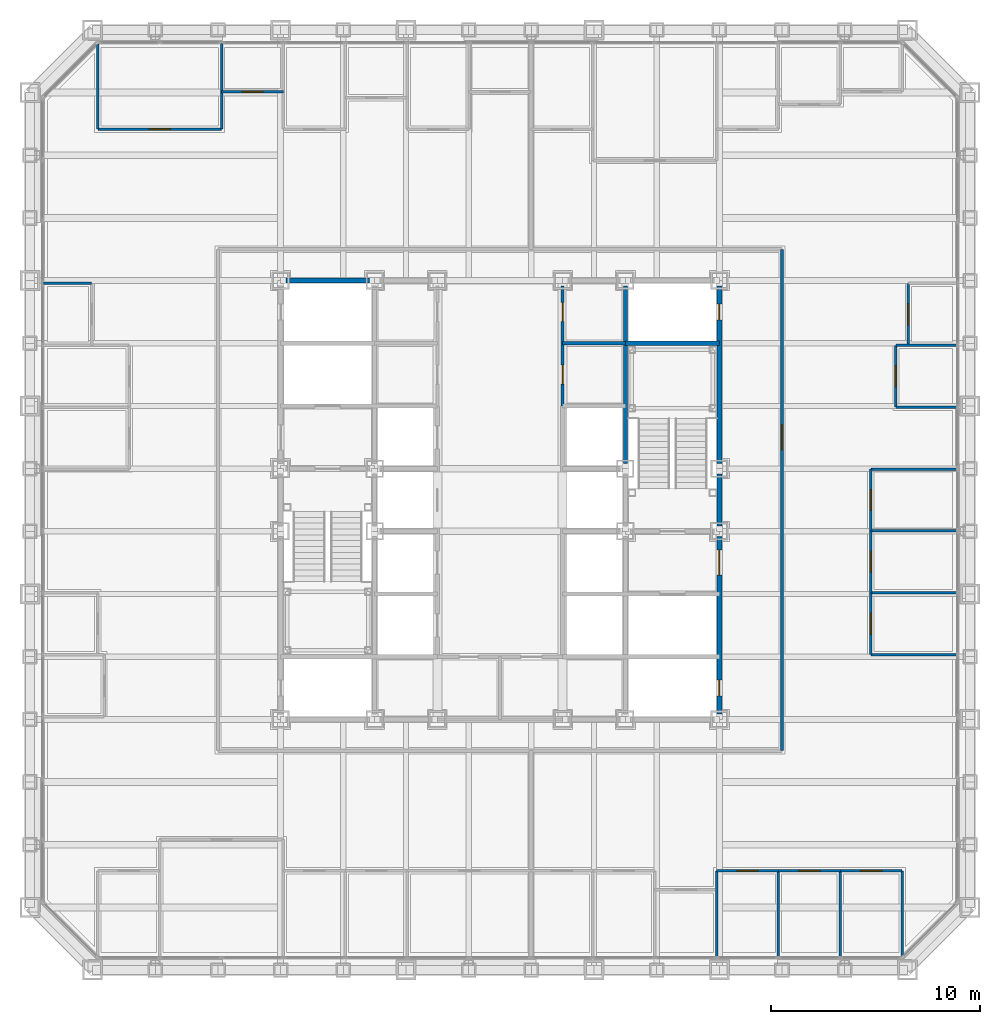
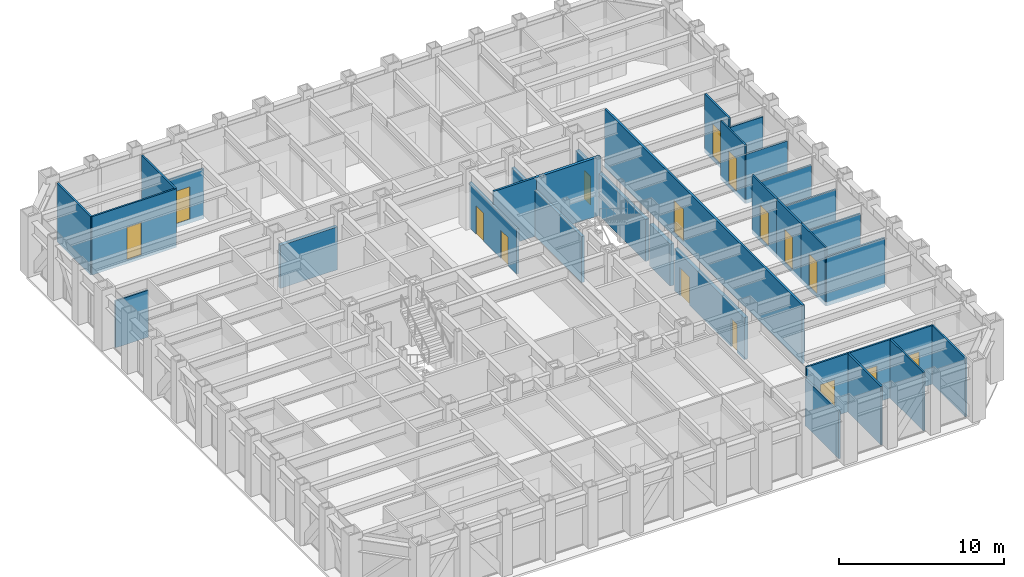
# One storey, part 10 of 16: 32 walls, 16 doors, 16 openings.
"""IFC4 building model written with IfcOpenShell, lengths in metres."""

from ifc_helpers import new_model, si_unit, direction, frame, frame_2d, origin, place, context, subcontext, project, spatial, rectangle, extrude, material, layer, layer_set, type_object, element, fill, save


model = new_model("IFC4")

# Units and contexts
model_context = context("Model", 3, precision=1e-05, world=origin(), true_north=direction((0.0, 1.0)))
body_context = subcontext(model_context, "Body", "Model", "MODEL_VIEW")
ifc_project = project(units=[si_unit("LENGTHUNIT", "METRE"), si_unit("AREAUNIT", "SQUARE_METRE"), si_unit("VOLUMEUNIT", "CUBIC_METRE"), si_unit("PLANEANGLEUNIT", "RADIAN"), si_unit("MASSUNIT", "GRAM", prefix="KILO")], contexts=[model_context])

# Site, building, storey
site_placement = place(None, origin())
site = spatial("IfcSite", under=ifc_project, at=site_placement, CompositionType="ELEMENT")
building_placement = place(site_placement, origin())
building = spatial("IfcBuilding", under=site, at=building_placement, Name="Chuquiago Exchange Tower", CompositionType="ELEMENT")
storey_placement = place(building_placement, frame((0.0, 0.0, 51.300048828125)))
storey = spatial("IfcBuildingStorey", under=building, at=storey_placement, Name="L10", CompositionType="ELEMENT", Elevation=51.300048828125)

# Wall
ifc_material_1 = material(Name="Concrete masonry, fully grouted", Category="masonry")
ifc_layer_1 = layer(ifc_material_1, 0.25)
ifc_layer_set_1 = layer_set([ifc_layer_1], Name="W1 core wall 250")
wall_type_1 = type_object("IfcWallType", Name="W1 core wall 250", PredefinedType="SOLIDWALL", material=ifc_layer_set_1)
wall_1_placement = place(storey_placement, frame((12.25, 33.0, 0.0), z_axis=(0.0, 0.0, 1.0), x_axis=(1.0, 0.0, 0.0)))
element("IfcWall", 1, at=wall_1_placement, inside=storey, type_object=wall_type_1, Name="CW-L10-11-0", PredefinedType="SOLIDWALL", context=body_context, shape_type="SweptSolid", body=[
    extrude(rectangle(XDim=4.0, YDim=0.25, at=frame_2d((2.0, 0.0))), origin(), (0.0, 0.0, 1.0), 3.181396484375),
])

# Wall, openings, doors
wall_2_placement = place(storey_placement, frame((33.0, 12.25, 0.0), z_axis=(0.0, 0.0, 1.0), x_axis=(0.0, 1.0, 0.0)))
wall_2 = element("IfcWall", 2, at=wall_2_placement, inside=storey, type_object=wall_type_1, Name="CW-L10-25-0", PredefinedType="SOLIDWALL", context=body_context, shape_type="SweptSolid", body=[
    extrude(rectangle(XDim=8.5, YDim=0.25, at=frame_2d((4.25, 0.0))), origin(), (0.0, 0.0, 1.0), 3.11279296875),
])
opening_1_placement = place(wall_2_placement, frame((6.64990234375, 0.0, 0.0)))
opening_1 = element("IfcOpeningElement", 3, at=opening_1_placement, cuts=wall_2, Name="Opening L10-004", PredefinedType="OPENING", context=body_context, shape_type="SweptSolid", body=[
    extrude(rectangle(XDim=1.199951171875, YDim=2.10009765625, at=frame_2d((0.60009765625, 1.050048828125))), frame((0.0, 0.135009765625, 0.0), z_axis=(0.0, -1.0, 0.0), x_axis=(1.0, 0.0, 0.0)), (0.0, 0.0, 1.0), 0.27001953125),
])
opening_2_placement = place(wall_2_placement, frame((0.875, 0.0, 0.0)))
opening_2 = element("IfcOpeningElement", 4, at=opening_2_placement, cuts=wall_2, Name="Opening L10-009", PredefinedType="OPENING", context=body_context, shape_type="SweptSolid", body=[
    extrude(rectangle(XDim=0.75, YDim=2.10009765625, at=frame_2d((0.375, 1.050048828125))), frame((0.0, 0.135009765625, 0.0), z_axis=(0.0, -1.0, 0.0), x_axis=(1.0, 0.0, 0.0)), (0.0, 0.0, 1.0), 0.27001953125),
])
ifc_material_2 = material(Name="Steel door, painted", Category="steel")
door_type_1 = type_object("IfcDoorType", Name="D5 firefighting lobby door 1200x2100", OperationType="SINGLE_SWING_LEFT", PredefinedType="DOOR", material=ifc_material_2)
door_1_placement = place(opening_1_placement, origin())
door_1 = element("IfcDoor", 5, at=door_1_placement, inside=storey, type_object=door_type_1, Name="Firefighting lobby 2 door", OperationType="SINGLE_SWING_RIGHT", OverallHeight=2.10009765625, OverallWidth=1.199951171875, PredefinedType="DOOR", context=body_context, shape_type="SweptSolid", body=[
    extrude(rectangle(XDim=1.199951171875, YDim=2.10009765625, at=frame_2d((0.60009765625, 1.050048828125))), frame((0.0, 0.02490234375, 0.0), z_axis=(0.0, -1.0, 0.0), x_axis=(1.0, 0.0, 0.0)), (0.0, 0.0, 1.0), 0.050048828125),
])
fill(opening_1, door_1)
ifc_material_3 = material(Name="Steel door, painted", Category="steel")
door_type_2 = type_object("IfcDoorType", Name="D6 riser access door 750x2100", OperationType="SINGLE_SWING_LEFT", PredefinedType="DOOR", material=ifc_material_3)
door_2_placement = place(opening_2_placement, frame((0.75, 0.0, 0.0), z_axis=(0.0, 0.0, 1.0), x_axis=(-1.0, 0.0, 0.0)))
door_2 = element("IfcDoor", 6, at=door_2_placement, inside=storey, type_object=door_type_2, Name="Riser RE1 door", OperationType="SINGLE_SWING_RIGHT", OverallHeight=2.10009765625, OverallWidth=0.75, PredefinedType="DOOR", context=body_context, shape_type="SweptSolid", body=[
    extrude(rectangle(XDim=0.75, YDim=2.10009765625, at=frame_2d((0.375, 1.050048828125))), frame((0.0, 0.02490234375, 0.0), z_axis=(0.0, -1.0, 0.0), x_axis=(1.0, 0.0, 0.0)), (0.0, 0.0, 1.0), 0.050048828125),
])
fill(opening_2, door_2)

# Wall
wall_3_placement = place(storey_placement, frame((33.0, 21.25, 0.0), z_axis=(0.0, 0.0, 1.0), x_axis=(0.0, 1.0, 0.0)))
element("IfcWall", 7, at=wall_3_placement, inside=storey, type_object=wall_type_1, Name="CW-L10-25-1", PredefinedType="SOLIDWALL", context=body_context, shape_type="SweptSolid", body=[
    extrude(rectangle(XDim=2.5, YDim=0.25, at=frame_2d((1.25, 0.0))), origin(), (0.0, 0.0, 1.0), 3.11279296875),
])

# Wall, opening, door
wall_4_placement = place(storey_placement, frame((33.0, 24.25, 0.0), z_axis=(0.0, 0.0, 1.0), x_axis=(0.0, 1.0, 0.0)))
wall_4 = element("IfcWall", 8, at=wall_4_placement, inside=storey, type_object=wall_type_1, Name="CW-L10-25-2", PredefinedType="SOLIDWALL", context=body_context, shape_type="SweptSolid", body=[
    extrude(rectangle(XDim=8.5, YDim=0.25, at=frame_2d((4.25, 0.0))), origin(), (0.0, 0.0, 1.0), 3.11279296875),
])
opening_3_placement = place(wall_4_placement, frame((6.875, 0.0, 0.0)))
opening_3 = element("IfcOpeningElement", 9, at=opening_3_placement, cuts=wall_4, Name="Opening L10-010", PredefinedType="OPENING", context=body_context, shape_type="SweptSolid", body=[
    extrude(rectangle(XDim=0.75, YDim=2.10009765625, at=frame_2d((0.375, 1.050048828125))), frame((0.0, 0.135009765625, 0.0), z_axis=(0.0, -1.0, 0.0), x_axis=(1.0, 0.0, 0.0)), (0.0, 0.0, 1.0), 0.27001953125),
])
door_3_placement = place(opening_3_placement, frame((0.75, 0.0, 0.0), z_axis=(0.0, 0.0, 1.0), x_axis=(-1.0, 0.0, 0.0)))
door_3 = element("IfcDoor", 10, at=door_3_placement, inside=storey, type_object=door_type_2, Name="Riser RE2 door", OperationType="SINGLE_SWING_LEFT", OverallHeight=2.10009765625, OverallWidth=0.75, PredefinedType="DOOR", context=body_context, shape_type="SweptSolid", body=[
    extrude(rectangle(XDim=0.75, YDim=2.10009765625, at=frame_2d((0.375, 1.050048828125))), frame((0.0, 0.02490234375, 0.0), z_axis=(0.0, -1.0, 0.0), x_axis=(1.0, 0.0, 0.0)), (0.0, 0.0, 1.0), 0.050048828125),
])
fill(opening_3, door_3)

ifc_material_4 = material(Name="Gypsum board on steel studs, acoustic insulation", Category="steel")
ifc_layer_2 = layer(ifc_material_4, 0.14990234375)
ifc_layer_set_2 = layer_set([ifc_layer_2], Name="W11 corridor wall 150")
wall_type_2 = type_object("IfcWallType", Name="W11 corridor wall 150", PredefinedType="PARTITIONING", material=ifc_layer_set_2)
wall_5_placement = place(storey_placement, frame((36.0, 10.5, -0.300048828125), z_axis=(0.0, 0.0, 1.0), x_axis=(0.0, 1.0, 0.0)))
wall_5 = element("IfcWall", 11, at=wall_5_placement, inside=storey, type_object=wall_type_2, Name="PW-L10-CE", PredefinedType="PARTITIONING", context=body_context, shape_type="SweptSolid", body=[
    extrude(rectangle(XDim=24.0, YDim=0.14990234375, at=frame_2d((12.0, 0.0))), origin(), (0.0, 0.0, 1.0), 4.340087890625),
])
opening_4_placement = place(wall_5_placement, frame((14.39990234375, 0.0, 0.300048828125)))
opening_4 = element("IfcOpeningElement", 12, at=opening_4_placement, cuts=wall_5, Name="Opening L10-054", PredefinedType="OPENING", context=body_context, shape_type="SweptSolid", body=[
    extrude(rectangle(XDim=1.199951171875, YDim=2.39990234375, at=frame_2d((0.60009765625, 1.199951171875))), frame((0.0, 0.0849609375, 0.0), z_axis=(0.0, -1.0, 0.0), x_axis=(1.0, 0.0, 0.0)), (0.0, 0.0, 1.0), 0.169921875),
])
ifc_material_5 = material(Name="Timber door, laminate faced", Category="wood")
door_type_3 = type_object("IfcDoorType", Name="D13 suite entrance door 1200x2400", OperationType="SINGLE_SWING_LEFT", PredefinedType="DOOR", material=ifc_material_5)
door_4_placement = place(opening_4_placement, origin())
door_4 = element("IfcDoor", 13, at=door_4_placement, inside=storey, type_object=door_type_3, Name="East suite entrance door", OperationType="SINGLE_SWING_RIGHT", OverallHeight=2.39990234375, OverallWidth=1.199951171875, PredefinedType="DOOR", context=body_context, shape_type="SweptSolid", body=[
    extrude(rectangle(XDim=1.199951171875, YDim=2.39990234375, at=frame_2d((0.60009765625, 1.199951171875))), frame((0.0, 0.02490234375, 0.0), z_axis=(0.0, -1.0, 0.0), x_axis=(1.0, 0.0, 0.0)), (0.0, 0.0, 1.0), 0.050048828125),
])
fill(opening_4, door_4)

# Walls
ifc_material_6 = material(Name="Concrete masonry, fully grouted", Category="masonry")
ifc_layer_3 = layer(ifc_material_6, 0.199951171875)
ifc_layer_set_3 = layer_set([ifc_layer_3], Name="W2 shaft wall 200")
wall_type_3 = type_object("IfcWallType", Name="W2 shaft wall 200", PredefinedType="SOLIDWALL", material=ifc_layer_set_3)
wall_6_placement = place(storey_placement, frame((28.5, 30.0, 0.0), z_axis=(0.0, 0.0, 1.0), x_axis=(1.0, 0.0, 0.0)))
element("IfcWall", 14, at=wall_6_placement, inside=storey, type_object=wall_type_3, Name="CW-L10-10-0", PredefinedType="SOLIDWALL", context=body_context, shape_type="SweptSolid", body=[
    extrude(rectangle(XDim=4.5, YDim=0.199951171875, at=frame_2d((2.25, 0.0))), origin(), (0.0, 0.0, 1.0), 4.33984375),
])
wall_7_placement = place(storey_placement, frame((28.5, 24.25, 0.0), z_axis=(0.0, 0.0, 1.0), x_axis=(0.0, 1.0, 0.0)))
element("IfcWall", 15, at=wall_7_placement, inside=storey, type_object=wall_type_3, Name="CW-L10-24-2", PredefinedType="SOLIDWALL", context=body_context, shape_type="SweptSolid", body=[
    extrude(rectangle(XDim=8.5, YDim=0.199951171875, at=frame_2d((4.25, 0.0))), origin(), (0.0, 0.0, 1.0), 3.412841796875),
])

# Wall, openings, doors
ifc_material_7 = material(Name="Gypsum board on steel studs", Category="steel")
ifc_layer_4 = layer(ifc_material_7, 0.14990234375)
ifc_layer_set_4 = layer_set([ifc_layer_4], Name="W3 core partition 150")
wall_type_4 = type_object("IfcWallType", Name="W3 core partition 150", PredefinedType="PARTITIONING", material=ifc_layer_set_4)
wall_8_placement = place(storey_placement, frame((25.5, 27.0, 0.0), z_axis=(0.0, 0.0, 1.0), x_axis=(0.0, 1.0, 0.0)))
wall_8 = element("IfcWall", 16, at=wall_8_placement, inside=storey, type_object=wall_type_4, Name="CW-L10-23-0", PredefinedType="PARTITIONING", context=body_context, shape_type="SweptSolid", body=[
    extrude(rectangle(XDim=5.75, YDim=0.14990234375, at=frame_2d((2.875, 0.0))), origin(), (0.0, 0.0, 1.0), 3.364501953125),
])
opening_5_placement = place(wall_8_placement, frame((1.050048828125, 0.0, 0.0)))
opening_5 = element("IfcOpeningElement", 17, at=opening_5_placement, cuts=wall_8, Name="Opening L10-013", PredefinedType="OPENING", context=body_context, shape_type="SweptSolid", body=[
    extrude(rectangle(XDim=0.89990234375, YDim=2.10009765625, at=frame_2d((0.449951171875, 1.050048828125))), frame((0.0, 0.0849609375, 0.0), z_axis=(0.0, -1.0, 0.0), x_axis=(1.0, 0.0, 0.0)), (0.0, 0.0, 1.0), 0.169921875),
])
opening_6_placement = place(wall_8_placement, frame((4.050048828125, 0.0, 0.0)))
opening_6 = element("IfcOpeningElement", 18, at=opening_6_placement, cuts=wall_8, Name="Opening L10-014", PredefinedType="OPENING", context=body_context, shape_type="SweptSolid", body=[
    extrude(rectangle(XDim=0.89990234375, YDim=2.10009765625, at=frame_2d((0.449951171875, 1.050048828125))), frame((0.0, 0.0849609375, 0.0), z_axis=(0.0, -1.0, 0.0), x_axis=(1.0, 0.0, 0.0)), (0.0, 0.0, 1.0), 0.169921875),
])
ifc_material_8 = material(Name="Timber door, laminate faced", Category="wood")
door_type_4 = type_object("IfcDoorType", Name="D16 core room door 900x2100", OperationType="SINGLE_SWING_LEFT", PredefinedType="DOOR", material=ifc_material_8)
door_5_placement = place(opening_6_placement, frame((0.89990234375, 0.0, 0.0), z_axis=(0.0, 0.0, 1.0), x_axis=(-1.0, 0.0, 0.0)))
door_5 = element("IfcDoor", 19, at=door_5_placement, inside=storey, type_object=door_type_4, Name="Baby change room door", OperationType="SINGLE_SWING_LEFT", OverallHeight=2.10009765625, OverallWidth=0.89990234375, PredefinedType="DOOR", context=body_context, shape_type="SweptSolid", body=[
    extrude(rectangle(XDim=0.89990234375, YDim=2.10009765625, at=frame_2d((0.449951171875, 1.050048828125))), frame((0.0, 0.02490234375, 0.0), z_axis=(0.0, -1.0, 0.0), x_axis=(1.0, 0.0, 0.0)), (0.0, 0.0, 1.0), 0.050048828125),
])
fill(opening_6, door_5)
ifc_material_9 = material(Name="Timber door, laminate faced", Category="wood")
door_type_5 = type_object("IfcDoorType", Name="D7 toilet door 900x2100", OperationType="SINGLE_SWING_LEFT", PredefinedType="DOOR", material=ifc_material_9)
door_6_placement = place(opening_5_placement, frame((0.89990234375, 0.0, 0.0), z_axis=(0.0, 0.0, 1.0), x_axis=(-1.0, 0.0, 0.0)))
door_6 = element("IfcDoor", 20, at=door_6_placement, inside=storey, type_object=door_type_5, Name="Female WC door", OperationType="SINGLE_SWING_RIGHT", OverallHeight=2.10009765625, OverallWidth=0.89990234375, PredefinedType="DOOR", context=body_context, shape_type="SweptSolid", body=[
    extrude(rectangle(XDim=0.89990234375, YDim=2.10009765625, at=frame_2d((0.449951171875, 1.050048828125))), frame((0.0, 0.02490234375, 0.0), z_axis=(0.0, -1.0, 0.0), x_axis=(1.0, 0.0, 0.0)), (0.0, 0.0, 1.0), 0.050048828125),
])
fill(opening_5, door_6)

# Walls
wall_9_placement = place(storey_placement, frame((25.5, 30.0, 0.0), z_axis=(0.0, 0.0, 1.0), x_axis=(1.0, 0.0, 0.0)))
element("IfcWall", 21, at=wall_9_placement, inside=storey, type_object=wall_type_4, Name="CW-L10-WCFS", PredefinedType="PARTITIONING", context=body_context, shape_type="SweptSolid", body=[
    extrude(rectangle(XDim=3.0, YDim=0.14990234375, at=frame_2d((1.5, 0.0))), origin(), (0.0, 0.0, 1.0), 4.33984375),
])
ifc_material_10 = material(Name="Gypsum board on steel studs", Category="steel")
ifc_layer_5 = layer(ifc_material_10, 0.1201171875)
ifc_layer_set_5 = layer_set([ifc_layer_5], Name="W4 partition 120")
wall_type_5 = type_object("IfcWallType", Name="W4 partition 120", PredefinedType="PARTITIONING", material=ifc_layer_set_5)
wall_10_placement = place(storey_placement, frame((32.8662109375, 0.657470703125, -0.300048828125), z_axis=(0.0, 0.0, 1.0), x_axis=(0.0, 1.0, 0.0)))
element("IfcWall", 22, at=wall_10_placement, inside=storey, type_object=wall_type_5, Name="PW-L10-S03287", PredefinedType="PARTITIONING", context=body_context, shape_type="SweptSolid", body=[
    extrude(rectangle(XDim=4.092529296875, YDim=0.1201171875, at=frame_2d((2.04638671875, 0.0))), origin(), (0.0, 0.0, 1.0), 3.4814453125),
])
for number, where, z_axis, x_axis, name in (
    (23, (35.827880859375, 0.657470703125, -0.300048828125), (0.0, 0.0, 1.0), (0.0, 1.0, 0.0), "PW-L10-S03583"),
    (24, (38.789794921875, 0.657470703125, -0.300048828125), (0.0, 0.0, 1.0), (0.0, 1.0, 0.0), "PW-L10-S03879"),
):
    element("IfcWall", number, at=place(storey_placement, frame(where, z_axis=z_axis, x_axis=x_axis)), inside=storey, type_object=wall_type_5, Name=name, PredefinedType="PARTITIONING", context=body_context, shape_type="SweptSolid", body=[
        extrude(rectangle(XDim=4.092529296875, YDim=0.1201171875, at=frame_2d((2.04638671875, 0.0))), origin(), (0.0, 0.0, 1.0), 4.340087890625),
    ])
wall_11_placement = place(storey_placement, frame((41.75146484375, 0.666015625, -0.300048828125), z_axis=(0.0, 0.0, 1.0), x_axis=(0.0, 1.0, 0.0)))
element("IfcWall", 25, at=wall_11_placement, inside=storey, type_object=wall_type_5, Name="PW-L10-S04175", PredefinedType="PARTITIONING", context=body_context, shape_type="SweptSolid", body=[
    extrude(rectangle(XDim=4.083984375, YDim=0.1201171875, at=frame_2d((2.0419921875, 0.0))), origin(), (0.0, 0.0, 1.0), 4.340087890625),
])

# Wall, opening, door
wall_12_placement = place(storey_placement, frame((32.8662109375, 4.75, -0.300048828125), z_axis=(0.0, 0.0, 1.0), x_axis=(1.0, 0.0, 0.0)))
wall_12 = element("IfcWall", 26, at=wall_12_placement, inside=storey, type_object=wall_type_5, Name="PW-L10-SF03287", PredefinedType="PARTITIONING", context=body_context, shape_type="SweptSolid", body=[
    extrude(rectangle(XDim=2.961669921875, YDim=0.1201171875, at=frame_2d((1.48095703125, 0.0))), origin(), (0.0, 0.0, 1.0), 4.340087890625),
])
opening_7_placement = place(wall_12_placement, frame((0.98095703125, 0.0, 0.300048828125)))
opening_7 = element("IfcOpeningElement", 27, at=opening_7_placement, cuts=wall_12, Name="Opening L10-029", PredefinedType="OPENING", context=body_context, shape_type="SweptSolid", body=[
    extrude(rectangle(XDim=1.0, YDim=2.39990234375, at=frame_2d((0.5, 1.199951171875))), frame((0.0, 0.070068359375, 0.0), z_axis=(0.0, -1.0, 0.0), x_axis=(1.0, 0.0, 0.0)), (0.0, 0.0, 1.0), 0.14013671875),
])
ifc_material_11 = material(Name="Timber door, laminate faced", Category="wood")
door_type_6 = type_object("IfcDoorType", Name="D9 room door 1000x2400", OperationType="SINGLE_SWING_LEFT", PredefinedType="DOOR", material=ifc_material_11)
door_7_placement = place(opening_7_placement, frame((1.0, 0.0, 0.0), z_axis=(0.0, 0.0, 1.0), x_axis=(-1.0, 0.0, 0.0)))
door_7 = element("IfcDoor", 28, at=door_7_placement, inside=storey, type_object=door_type_6, Name="Trading support room door", OperationType="SINGLE_SWING_LEFT", OverallHeight=2.39990234375, OverallWidth=1.0, PredefinedType="DOOR", context=body_context, shape_type="SweptSolid", body=[
    extrude(rectangle(XDim=1.0, YDim=2.39990234375, at=frame_2d((0.5, 1.199951171875))), frame((0.0, 0.02490234375, 0.0), z_axis=(0.0, -1.0, 0.0), x_axis=(1.0, 0.0, 0.0)), (0.0, 0.0, 1.0), 0.050048828125),
])
fill(opening_7, door_7)

wall_13_placement = place(storey_placement, frame((35.827880859375, 4.75, -0.300048828125), z_axis=(0.0, 0.0, 1.0), x_axis=(1.0, 0.0, 0.0)))
wall_13 = element("IfcWall", 29, at=wall_13_placement, inside=storey, type_object=wall_type_5, Name="PW-L10-SF03583", PredefinedType="PARTITIONING", context=body_context, shape_type="SweptSolid", body=[
    extrude(rectangle(XDim=2.9619140625, YDim=0.1201171875, at=frame_2d((1.48095703125, 0.0))), origin(), (0.0, 0.0, 1.0), 4.340087890625),
])
opening_8_placement = place(wall_13_placement, frame((0.98095703125, 0.0, 0.300048828125)))
opening_8 = element("IfcOpeningElement", 30, at=opening_8_placement, cuts=wall_13, Name="Opening L10-030", PredefinedType="OPENING", context=body_context, shape_type="SweptSolid", body=[
    extrude(rectangle(XDim=1.0, YDim=2.39990234375, at=frame_2d((0.5, 1.199951171875))), frame((0.0, 0.070068359375, 0.0), z_axis=(0.0, -1.0, 0.0), x_axis=(1.0, 0.0, 0.0)), (0.0, 0.0, 1.0), 0.14013671875),
])
door_8_placement = place(opening_8_placement, frame((1.0, 0.0, 0.0), z_axis=(0.0, 0.0, 1.0), x_axis=(-1.0, 0.0, 0.0)))
door_8 = element("IfcDoor", 31, at=door_8_placement, inside=storey, type_object=door_type_6, Name="Trading support room door", OperationType="SINGLE_SWING_RIGHT", OverallHeight=2.39990234375, OverallWidth=1.0, PredefinedType="DOOR", context=body_context, shape_type="SweptSolid", body=[
    extrude(rectangle(XDim=1.0, YDim=2.39990234375, at=frame_2d((0.5, 1.199951171875))), frame((0.0, 0.02490234375, 0.0), z_axis=(0.0, -1.0, 0.0), x_axis=(1.0, 0.0, 0.0)), (0.0, 0.0, 1.0), 0.050048828125),
])
fill(opening_8, door_8)

wall_14_placement = place(storey_placement, frame((38.789794921875, 4.75, -0.300048828125), z_axis=(0.0, 0.0, 1.0), x_axis=(1.0, 0.0, 0.0)))
wall_14 = element("IfcWall", 32, at=wall_14_placement, inside=storey, type_object=wall_type_5, Name="PW-L10-SF03879", PredefinedType="PARTITIONING", context=body_context, shape_type="SweptSolid", body=[
    extrude(rectangle(XDim=2.961669921875, YDim=0.1201171875, at=frame_2d((1.48095703125, 0.0))), origin(), (0.0, 0.0, 1.0), 4.340087890625),
])
opening_9_placement = place(wall_14_placement, frame((0.98095703125, 0.0, 0.300048828125)))
opening_9 = element("IfcOpeningElement", 33, at=opening_9_placement, cuts=wall_14, Name="Opening L10-031", PredefinedType="OPENING", context=body_context, shape_type="SweptSolid", body=[
    extrude(rectangle(XDim=1.0, YDim=2.39990234375, at=frame_2d((0.5, 1.199951171875))), frame((0.0, 0.070068359375, 0.0), z_axis=(0.0, -1.0, 0.0), x_axis=(1.0, 0.0, 0.0)), (0.0, 0.0, 1.0), 0.14013671875),
])
ifc_material_12 = material(Name="Timber frame door, full height glazed panel", Category="wood")
door_type_7 = type_object("IfcDoorType", Name="D14 glazed meeting room door 1000x2400", OperationType="SINGLE_SWING_LEFT", PredefinedType="DOOR", material=ifc_material_12)
door_9_placement = place(opening_9_placement, frame((1.0, 0.0, 0.0), z_axis=(0.0, 0.0, 1.0), x_axis=(-1.0, 0.0, 0.0)))
door_9 = element("IfcDoor", 34, at=door_9_placement, inside=storey, type_object=door_type_7, Name="Meeting room door", OperationType="SINGLE_SWING_LEFT", OverallHeight=2.39990234375, OverallWidth=1.0, PredefinedType="DOOR", context=body_context, shape_type="SweptSolid", body=[
    extrude(rectangle(XDim=1.0, YDim=2.39990234375, at=frame_2d((0.5, 1.199951171875))), frame((0.0, 0.02490234375, 0.0), z_axis=(0.0, -1.0, 0.0), x_axis=(1.0, 0.0, 0.0)), (0.0, 0.0, 1.0), 0.050048828125),
])
fill(opening_9, door_9)

# Walls
for number, where, z_axis, x_axis, name in (
    (35, (44.342529296875, 15.095703125, -0.300048828125), (0.0, 0.0, 1.0), (-1.0, 0.0, 0.0), "PW-L10-E01510"),
    (36, (44.342529296875, 18.057373046875, -0.300048828125), (0.0, 0.0, 1.0), (-1.0, 0.0, 0.0), "PW-L10-E01806"),
    (37, (44.342529296875, 21.01904296875, -0.300048828125), (0.0, 0.0, 1.0), (-1.0, 0.0, 0.0), "PW-L10-E02102"),
    (38, (44.342529296875, 23.98095703125, -0.300048828125), (0.0, 0.0, 1.0), (-1.0, 0.0, 0.0), "PW-L10-E02398"),
):
    element("IfcWall", number, at=place(storey_placement, frame(where, z_axis=z_axis, x_axis=x_axis)), inside=storey, type_object=wall_type_5, Name=name, PredefinedType="PARTITIONING", context=body_context, shape_type="SweptSolid", body=[
        extrude(rectangle(XDim=4.092529296875, YDim=0.1201171875, at=frame_2d((2.04638671875, 0.0))), origin(), (0.0, 0.0, 1.0), 3.646484375),
    ])
for number, where, z_axis, x_axis, name in (
    (39, (44.342529296875, 26.942626953125, -0.300048828125), (0.0, 0.0, 1.0), (-1.0, 0.0, 0.0), "PW-L10-E02694"),
    (40, (44.342529296875, 29.904296875, -0.300048828125), (0.0, 0.0, 1.0), (-1.0, 0.0, 0.0), "PW-L10-E02990"),
):
    element("IfcWall", number, at=place(storey_placement, frame(where, z_axis=z_axis, x_axis=x_axis)), inside=storey, type_object=wall_type_5, Name=name, PredefinedType="PARTITIONING", context=body_context, shape_type="SweptSolid", body=[
        extrude(rectangle(XDim=2.892578125, YDim=0.1201171875, at=frame_2d((1.4462890625, 0.0))), origin(), (0.0, 0.0, 1.0), 3.646484375),
    ])

# Wall, opening, door
wall_15_placement = place(storey_placement, frame((40.25, 15.095703125, -0.300048828125), z_axis=(0.0, 0.0, 1.0), x_axis=(0.0, 1.0, 0.0)))
wall_15 = element("IfcWall", 41, at=wall_15_placement, inside=storey, type_object=wall_type_5, Name="PW-L10-EF01510", PredefinedType="PARTITIONING", context=body_context, shape_type="SweptSolid", body=[
    extrude(rectangle(XDim=2.961669921875, YDim=0.1201171875, at=frame_2d((1.48095703125, 0.0))), origin(), (0.0, 0.0, 1.0), 4.340087890625),
])
opening_10_placement = place(wall_15_placement, frame((0.98095703125, 0.0, 0.300048828125)))
opening_10 = element("IfcOpeningElement", 42, at=opening_10_placement, cuts=wall_15, Name="Opening L10-032", PredefinedType="OPENING", context=body_context, shape_type="SweptSolid", body=[
    extrude(rectangle(XDim=1.0, YDim=2.39990234375, at=frame_2d((0.5, 1.199951171875))), frame((0.0, 0.070068359375, 0.0), z_axis=(0.0, -1.0, 0.0), x_axis=(1.0, 0.0, 0.0)), (0.0, 0.0, 1.0), 0.14013671875),
])
door_10_placement = place(opening_10_placement, frame((1.0, 0.0, 0.0), z_axis=(0.0, 0.0, 1.0), x_axis=(-1.0, 0.0, 0.0)))
door_10 = element("IfcDoor", 43, at=door_10_placement, inside=storey, type_object=door_type_6, Name="Office door", OperationType="SINGLE_SWING_RIGHT", OverallHeight=2.39990234375, OverallWidth=1.0, PredefinedType="DOOR", context=body_context, shape_type="SweptSolid", body=[
    extrude(rectangle(XDim=1.0, YDim=2.39990234375, at=frame_2d((0.5, 1.199951171875))), frame((0.0, 0.02490234375, 0.0), z_axis=(0.0, -1.0, 0.0), x_axis=(1.0, 0.0, 0.0)), (0.0, 0.0, 1.0), 0.050048828125),
])
fill(opening_10, door_10)

wall_16_placement = place(storey_placement, frame((40.25, 18.057373046875, -0.300048828125), z_axis=(0.0, 0.0, 1.0), x_axis=(0.0, 1.0, 0.0)))
wall_16 = element("IfcWall", 44, at=wall_16_placement, inside=storey, type_object=wall_type_5, Name="PW-L10-EF01806", PredefinedType="PARTITIONING", context=body_context, shape_type="SweptSolid", body=[
    extrude(rectangle(XDim=2.961669921875, YDim=0.1201171875, at=frame_2d((1.48095703125, 0.0))), origin(), (0.0, 0.0, 1.0), 4.340087890625),
])
opening_11_placement = place(wall_16_placement, frame((0.98095703125, 0.0, 0.300048828125)))
opening_11 = element("IfcOpeningElement", 45, at=opening_11_placement, cuts=wall_16, Name="Opening L10-033", PredefinedType="OPENING", context=body_context, shape_type="SweptSolid", body=[
    extrude(rectangle(XDim=1.0, YDim=2.39990234375, at=frame_2d((0.5, 1.199951171875))), frame((0.0, 0.070068359375, 0.0), z_axis=(0.0, -1.0, 0.0), x_axis=(1.0, 0.0, 0.0)), (0.0, 0.0, 1.0), 0.14013671875),
])
door_11_placement = place(opening_11_placement, frame((1.0, 0.0, 0.0), z_axis=(0.0, 0.0, 1.0), x_axis=(-1.0, 0.0, 0.0)))
door_11 = element("IfcDoor", 46, at=door_11_placement, inside=storey, type_object=door_type_6, Name="Office door", OperationType="SINGLE_SWING_LEFT", OverallHeight=2.39990234375, OverallWidth=1.0, PredefinedType="DOOR", context=body_context, shape_type="SweptSolid", body=[
    extrude(rectangle(XDim=1.0, YDim=2.39990234375, at=frame_2d((0.5, 1.199951171875))), frame((0.0, 0.02490234375, 0.0), z_axis=(0.0, -1.0, 0.0), x_axis=(1.0, 0.0, 0.0)), (0.0, 0.0, 1.0), 0.050048828125),
])
fill(opening_11, door_11)

wall_17_placement = place(storey_placement, frame((40.25, 21.01904296875, -0.300048828125), z_axis=(0.0, 0.0, 1.0), x_axis=(0.0, 1.0, 0.0)))
wall_17 = element("IfcWall", 47, at=wall_17_placement, inside=storey, type_object=wall_type_5, Name="PW-L10-EF02102", PredefinedType="PARTITIONING", context=body_context, shape_type="SweptSolid", body=[
    extrude(rectangle(XDim=2.9619140625, YDim=0.1201171875, at=frame_2d((1.48095703125, 0.0))), origin(), (0.0, 0.0, 1.0), 4.340087890625),
])
opening_12_placement = place(wall_17_placement, frame((0.98095703125, 0.0, 0.300048828125)))
opening_12 = element("IfcOpeningElement", 48, at=opening_12_placement, cuts=wall_17, Name="Opening L10-034", PredefinedType="OPENING", context=body_context, shape_type="SweptSolid", body=[
    extrude(rectangle(XDim=1.0, YDim=2.39990234375, at=frame_2d((0.5, 1.199951171875))), frame((0.0, 0.070068359375, 0.0), z_axis=(0.0, -1.0, 0.0), x_axis=(1.0, 0.0, 0.0)), (0.0, 0.0, 1.0), 0.14013671875),
])
door_12_placement = place(opening_12_placement, frame((1.0, 0.0, 0.0), z_axis=(0.0, 0.0, 1.0), x_axis=(-1.0, 0.0, 0.0)))
door_12 = element("IfcDoor", 49, at=door_12_placement, inside=storey, type_object=door_type_6, Name="Office door", OperationType="SINGLE_SWING_LEFT", OverallHeight=2.39990234375, OverallWidth=1.0, PredefinedType="DOOR", context=body_context, shape_type="SweptSolid", body=[
    extrude(rectangle(XDim=1.0, YDim=2.39990234375, at=frame_2d((0.5, 1.199951171875))), frame((0.0, 0.02490234375, 0.0), z_axis=(0.0, -1.0, 0.0), x_axis=(1.0, 0.0, 0.0)), (0.0, 0.0, 1.0), 0.050048828125),
])
fill(opening_12, door_12)

wall_18_placement = place(storey_placement, frame((41.449951171875, 26.942626953125, -0.300048828125), z_axis=(0.0, 0.0, 1.0), x_axis=(0.0, 1.0, 0.0)))
wall_18 = element("IfcWall", 50, at=wall_18_placement, inside=storey, type_object=wall_type_5, Name="PW-L10-EF02694", PredefinedType="PARTITIONING", context=body_context, shape_type="SweptSolid", body=[
    extrude(rectangle(XDim=2.961669921875, YDim=0.1201171875, at=frame_2d((1.48095703125, 0.0))), origin(), (0.0, 0.0, 1.0), 4.340087890625),
])
opening_13_placement = place(wall_18_placement, frame((0.98095703125, 0.0, 0.300048828125)))
opening_13 = element("IfcOpeningElement", 51, at=opening_13_placement, cuts=wall_18, Name="Opening L10-035", PredefinedType="OPENING", context=body_context, shape_type="SweptSolid", body=[
    extrude(rectangle(XDim=1.0, YDim=2.39990234375, at=frame_2d((0.5, 1.199951171875))), frame((0.0, 0.070068359375, 0.0), z_axis=(0.0, -1.0, 0.0), x_axis=(1.0, 0.0, 0.0)), (0.0, 0.0, 1.0), 0.14013671875),
])
door_13_placement = place(opening_13_placement, frame((1.0, 0.0, 0.0), z_axis=(0.0, 0.0, 1.0), x_axis=(-1.0, 0.0, 0.0)))
door_13 = element("IfcDoor", 52, at=door_13_placement, inside=storey, type_object=door_type_6, Name="Pantry door", OperationType="SINGLE_SWING_RIGHT", OverallHeight=2.39990234375, OverallWidth=1.0, PredefinedType="DOOR", context=body_context, shape_type="SweptSolid", body=[
    extrude(rectangle(XDim=1.0, YDim=2.39990234375, at=frame_2d((0.5, 1.199951171875))), frame((0.0, 0.02490234375, 0.0), z_axis=(0.0, -1.0, 0.0), x_axis=(1.0, 0.0, 0.0)), (0.0, 0.0, 1.0), 0.050048828125),
])
fill(opening_13, door_13)

wall_19_placement = place(storey_placement, frame((42.050048828125, 29.904296875, -0.300048828125), z_axis=(0.0, 0.0, 1.0), x_axis=(0.0, 1.0, 0.0)))
wall_19 = element("IfcWall", 53, at=wall_19_placement, inside=storey, type_object=wall_type_5, Name="PW-L10-EF02990", PredefinedType="PARTITIONING", context=body_context, shape_type="SweptSolid", body=[
    extrude(rectangle(XDim=2.9619140625, YDim=0.1201171875, at=frame_2d((1.48095703125, 0.0))), origin(), (0.0, 0.0, 1.0), 4.340087890625),
])
opening_14_placement = place(wall_19_placement, frame((0.98095703125, 0.0, 0.300048828125)))
opening_14 = element("IfcOpeningElement", 54, at=opening_14_placement, cuts=wall_19, Name="Opening L10-036", PredefinedType="OPENING", context=body_context, shape_type="SweptSolid", body=[
    extrude(rectangle(XDim=1.0, YDim=2.39990234375, at=frame_2d((0.5, 1.199951171875))), frame((0.0, 0.070068359375, 0.0), z_axis=(0.0, -1.0, 0.0), x_axis=(1.0, 0.0, 0.0)), (0.0, 0.0, 1.0), 0.14013671875),
])
door_14_placement = place(opening_14_placement, frame((1.0, 0.0, 0.0), z_axis=(0.0, 0.0, 1.0), x_axis=(-1.0, 0.0, 0.0)))
door_14 = element("IfcDoor", 55, at=door_14_placement, inside=storey, type_object=door_type_7, Name="Focus room door", OperationType="SINGLE_SWING_RIGHT", OverallHeight=2.39990234375, OverallWidth=1.0, PredefinedType="DOOR", context=body_context, shape_type="SweptSolid", body=[
    extrude(rectangle(XDim=1.0, YDim=2.39990234375, at=frame_2d((0.5, 1.199951171875))), frame((0.0, 0.02490234375, 0.0), z_axis=(0.0, -1.0, 0.0), x_axis=(1.0, 0.0, 0.0)), (0.0, 0.0, 1.0), 0.050048828125),
])
fill(opening_14, door_14)

# Walls
wall_20_placement = place(storey_placement, frame((3.24853515625, 44.333984375, -0.300048828125), z_axis=(0.0, 0.0, 1.0), x_axis=(0.0, -1.0, 0.0)))
element("IfcWall", 56, at=wall_20_placement, inside=storey, type_object=wall_type_5, Name="PW-L10-N00325", PredefinedType="PARTITIONING", context=body_context, shape_type="SweptSolid", body=[
    extrude(rectangle(XDim=4.083984375, YDim=0.1201171875, at=frame_2d((2.0419921875, 0.0))), origin(), (0.0, 0.0, 1.0), 4.340087890625),
])
wall_21_placement = place(storey_placement, frame((9.172119140625, 44.342529296875, -0.300048828125), z_axis=(0.0, 0.0, 1.0), x_axis=(0.0, -1.0, 0.0)))
element("IfcWall", 57, at=wall_21_placement, inside=storey, type_object=wall_type_5, Name="PW-L10-N00917", PredefinedType="PARTITIONING", context=body_context, shape_type="SweptSolid", body=[
    extrude(rectangle(XDim=4.092529296875, YDim=0.1201171875, at=frame_2d((2.04638671875, 0.0))), origin(), (0.0, 0.0, 1.0), 4.340087890625),
])

# Wall, opening, door
wall_22_placement = place(storey_placement, frame((3.24853515625, 40.25, -0.300048828125), z_axis=(0.0, 0.0, 1.0), x_axis=(1.0, 0.0, 0.0)))
wall_22 = element("IfcWall", 58, at=wall_22_placement, inside=storey, type_object=wall_type_5, Name="PW-L10-NF00325", PredefinedType="PARTITIONING", context=body_context, shape_type="SweptSolid", body=[
    extrude(rectangle(XDim=5.923583984375, YDim=0.1201171875, at=frame_2d((2.9619140625, 0.0))), origin(), (0.0, 0.0, 1.0), 4.340087890625),
])
opening_15_placement = place(wall_22_placement, frame((2.4619140625, 0.0, 0.300048828125)))
opening_15 = element("IfcOpeningElement", 59, at=opening_15_placement, cuts=wall_22, Name="Opening L10-037", PredefinedType="OPENING", context=body_context, shape_type="SweptSolid", body=[
    extrude(rectangle(XDim=1.0, YDim=2.39990234375, at=frame_2d((0.5, 1.199951171875))), frame((0.0, 0.070068359375, 0.0), z_axis=(0.0, -1.0, 0.0), x_axis=(1.0, 0.0, 0.0)), (0.0, 0.0, 1.0), 0.14013671875),
])
door_15_placement = place(opening_15_placement, origin())
door_15 = element("IfcDoor", 60, at=door_15_placement, inside=storey, type_object=door_type_7, Name="Meeting room door", OperationType="SINGLE_SWING_LEFT", OverallHeight=2.39990234375, OverallWidth=1.0, PredefinedType="DOOR", context=body_context, shape_type="SweptSolid", body=[
    extrude(rectangle(XDim=1.0, YDim=2.39990234375, at=frame_2d((0.5, 1.199951171875))), frame((0.0, 0.02490234375, 0.0), z_axis=(0.0, -1.0, 0.0), x_axis=(1.0, 0.0, 0.0)), (0.0, 0.0, 1.0), 0.050048828125),
])
fill(opening_15, door_15)

wall_23_placement = place(storey_placement, frame((9.172119140625, 42.050048828125, -0.300048828125), z_axis=(0.0, 0.0, 1.0), x_axis=(1.0, 0.0, 0.0)))
wall_23 = element("IfcWall", 61, at=wall_23_placement, inside=storey, type_object=wall_type_5, Name="PW-L10-NF00917", PredefinedType="PARTITIONING", context=body_context, shape_type="SweptSolid", body=[
    extrude(rectangle(XDim=2.961669921875, YDim=0.1201171875, at=frame_2d((1.48095703125, 0.0))), origin(), (0.0, 0.0, 1.0), 3.722900390625),
])
opening_16_placement = place(wall_23_placement, frame((0.98095703125, 0.0, 0.300048828125)))
opening_16 = element("IfcOpeningElement", 62, at=opening_16_placement, cuts=wall_23, Name="Opening L10-038", PredefinedType="OPENING", context=body_context, shape_type="SweptSolid", body=[
    extrude(rectangle(XDim=1.0, YDim=2.39990234375, at=frame_2d((0.5, 1.199951171875))), frame((0.0, 0.070068359375, 0.0), z_axis=(0.0, -1.0, 0.0), x_axis=(1.0, 0.0, 0.0)), (0.0, 0.0, 1.0), 0.14013671875),
])
door_16_placement = place(opening_16_placement, origin())
door_16 = element("IfcDoor", 63, at=door_16_placement, inside=storey, type_object=door_type_7, Name="Focus room door", OperationType="SINGLE_SWING_RIGHT", OverallHeight=2.39990234375, OverallWidth=1.0, PredefinedType="DOOR", context=body_context, shape_type="SweptSolid", body=[
    extrude(rectangle(XDim=1.0, YDim=2.39990234375, at=frame_2d((0.5, 1.199951171875))), frame((0.0, 0.02490234375, 0.0), z_axis=(0.0, -1.0, 0.0), x_axis=(1.0, 0.0, 0.0)), (0.0, 0.0, 1.0), 0.050048828125),
])
fill(opening_16, door_16)

# Wall
wall_24_placement = place(storey_placement, frame((0.657470703125, 32.8662109375, -0.300048828125), z_axis=(0.0, 0.0, 1.0), x_axis=(1.0, 0.0, 0.0)))
element("IfcWall", 64, at=wall_24_placement, inside=storey, type_object=wall_type_5, Name="PW-L10-W03287", PredefinedType="PARTITIONING", context=body_context, shape_type="SweptSolid", body=[
    extrude(rectangle(XDim=2.29248046875, YDim=0.1201171875, at=frame_2d((1.146240234375, 0.0))), origin(), (0.0, 0.0, 1.0), 3.4814453125),
])

save(model, "model.ifc")
